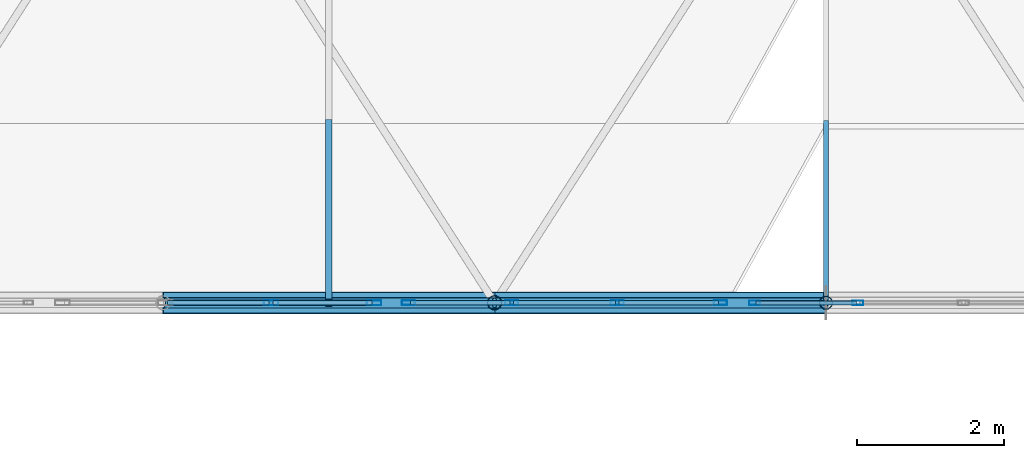
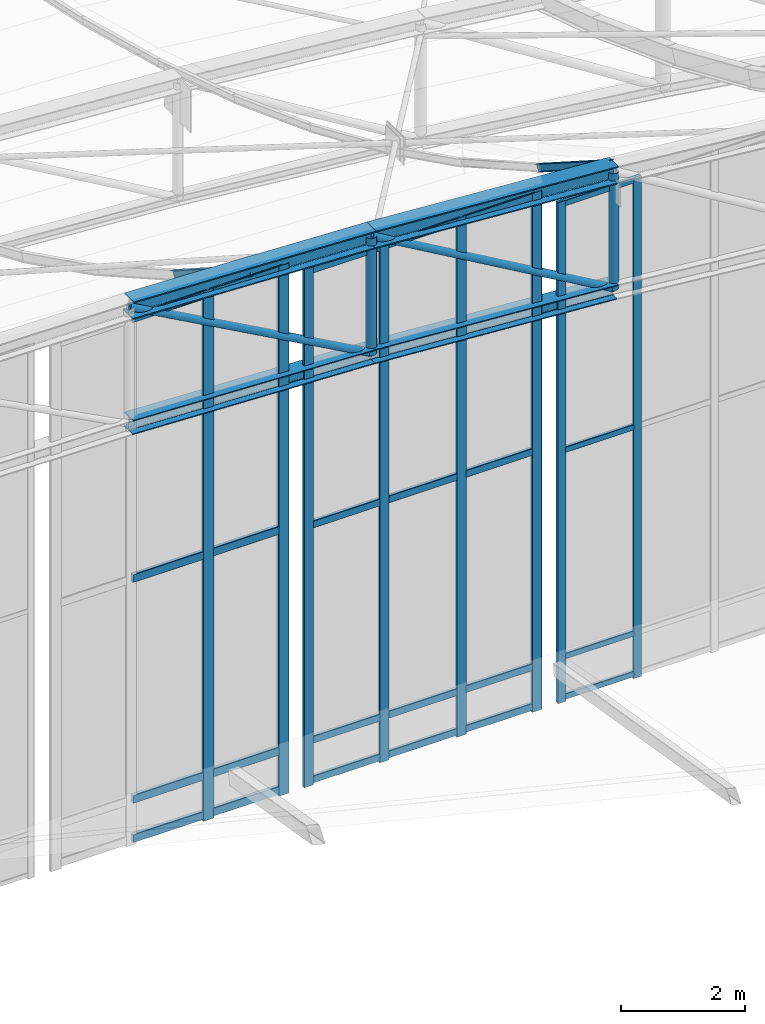
# One storey, part 148 of 262: 42 members, 3 elements without a shape of their own.
"""IFC4 building model written with IfcOpenShell, lengths in metres."""

from ifc_helpers import new_model, si_unit, derived_unit, direction, frame, origin, origin_2d, place, context, subcontext, project, spatial, hollow_rectangle, hollow_circle, i_section, extrude, material, layer, layer_set, material_profile, profile_set, type_object, element, aggregate, save


model = new_model("IFC4")

# Units and contexts
model_context = context("Model", 3, precision=1e-05, world=origin(), true_north=direction((0.0, 1.0)))
body_context = subcontext(model_context, "Body", "Model", "MODEL_VIEW")
ifc_project = project(units=[si_unit("LENGTHUNIT", "METRE"), si_unit("AREAUNIT", "SQUARE_METRE"), si_unit("VOLUMEUNIT", "CUBIC_METRE"), si_unit("PLANEANGLEUNIT", "RADIAN"), si_unit("MASSUNIT", "GRAM", prefix="KILO"), derived_unit("THERMALTRANSMITTANCEUNIT", [(si_unit("POWERUNIT", "WATT"), 1), (si_unit("LENGTHUNIT", "METRE"), -2), (si_unit("THERMODYNAMICTEMPERATUREUNIT", "KELVIN"), -1)])], contexts=[model_context])

# Site, building, storey
site_placement = place(None, origin())
site = spatial("IfcSite", under=ifc_project, at=site_placement, CompositionType="ELEMENT")
building_placement = place(site_placement, origin())
building = spatial("IfcBuilding", under=site, at=building_placement, Name="Almenara Railside Exhibition Hall", CompositionType="ELEMENT")
storey_placement = place(building_placement, frame((0.0, 0.0, 21.699951171875)))
storey = spatial("IfcBuildingStorey", under=building, at=storey_placement, Name="RF", CompositionType="ELEMENT", Elevation=21.699951171875)

# Members
ifc_material_1 = material(Name="Structural steel S355JR", Category="steel")
ifc_material_profile_1 = material_profile(ifc_material_1, i_section(OverallWidth=0.280029296875, OverallDepth=0.280029296875, WebThickness=0.010498046875, FlangeThickness=0.01806640625, FilletRadius=0.02392578125, at=origin_2d()), Name="HEB 280")
ifc_profile_set_1 = profile_set([ifc_material_profile_1], Name="Structural steel S355JR")
member_type_1 = type_object("IfcMemberType", Name="Arched Gable Bottom Chord HEB 280 S355JR", PredefinedType="CHORD", material=ifc_profile_set_1)
member_1_placement = place(storey_placement, frame((169.5, 34.0, 1.538818359375), z_axis=(0.999173184279, 0.0, -0.040656460949), x_axis=(0.0, 1.0, 0.0)))
element("IfcMember", 1, at=member_1_placement, inside=storey, type_object=member_type_1, Name="MEM-BC-V2-00-07", PredefinedType="CHORD", context=body_context, shape_type="SweptSolid", body=[
    extrude(i_section(OverallWidth=0.280029296875, OverallDepth=0.280029296875, WebThickness=0.010498046875, FlangeThickness=0.01806640625, FilletRadius=0.02392578125, at=origin_2d()), origin(), (0.0, 0.0, 1.0), 4.503662109375),
])
member_2_placement = place(storey_placement, frame((174.0, 34.0, 1.355712890625), z_axis=(0.997701025897, 0.0, -0.067769188608), x_axis=(0.0, 1.0, 0.0)))
element("IfcMember", 2, at=member_2_placement, inside=storey, type_object=member_type_1, Name="MEM-BC-V2-00-08", PredefinedType="CHORD", context=body_context, shape_type="SweptSolid", body=[
    extrude(i_section(OverallWidth=0.280029296875, OverallDepth=0.280029296875, WebThickness=0.010498046875, FlangeThickness=0.01806640625, FilletRadius=0.02392578125, at=origin_2d()), origin(), (0.0, 0.0, 1.0), 4.51025390625),
])
ifc_material_profile_2 = material_profile(ifc_material_1, i_section(OverallWidth=0.300048828125, OverallDepth=0.340087890625, WebThickness=0.011962890625, FlangeThickness=0.021484375, FilletRadius=0.027099609375, at=origin_2d()), Name="HEB 340")
ifc_profile_set_2 = profile_set([ifc_material_profile_2], Name="Structural steel S355JR")
member_type_2 = type_object("IfcMemberType", Name="Arched Gable Top Chord HEB 340 S355JR", PredefinedType="CHORD", material=ifc_profile_set_2)
member_3_placement = place(storey_placement, frame((169.5, 34.0, 3.8388671875), z_axis=(0.99917098071, 0.0, -0.04071057978), x_axis=(0.0, 1.0, 0.0)))
element("IfcMember", 3, at=member_3_placement, inside=storey, type_object=member_type_2, Name="MEM-TC-V2-00-07", PredefinedType="CHORD", context=body_context, shape_type="SweptSolid", body=[
    extrude(i_section(OverallWidth=0.300048828125, OverallDepth=0.340087890625, WebThickness=0.011962890625, FlangeThickness=0.021484375, FilletRadius=0.027099609375, at=origin_2d()), origin(), (0.0, 0.0, 1.0), 4.503662109375),
])
member_4_placement = place(storey_placement, frame((174.0, 34.0, 3.655517578125), z_axis=(0.997704684283, 0.0, -0.067715308162), x_axis=(0.0, 1.0, 0.0)))
element("IfcMember", 4, at=member_4_placement, inside=storey, type_object=member_type_2, Name="MEM-TC-V2-00-08", PredefinedType="CHORD", context=body_context, shape_type="SweptSolid", body=[
    extrude(i_section(OverallWidth=0.300048828125, OverallDepth=0.340087890625, WebThickness=0.011962890625, FlangeThickness=0.021484375, FilletRadius=0.027099609375, at=origin_2d()), origin(), (0.0, 0.0, 1.0), 4.51025390625),
])
ifc_material_profile_3 = material_profile(ifc_material_1, i_section(OverallWidth=0.072998046875, OverallDepth=0.139892578125, WebThickness=0.004638671875, FlangeThickness=0.0068359375, FilletRadius=0.007080078125, at=origin_2d()), Name="IPE 140")
ifc_profile_set_3 = profile_set([ifc_material_profile_3], Name="Structural steel S355JR")
member_type_3 = type_object("IfcMemberType", Name="Canopy Edge Purlin IPE 140 S355JR", PredefinedType="PURLIN", material=ifc_profile_set_3)
member_5_placement = place(storey_placement, frame((178.5, 34.0, 3.487548828125), z_axis=(0.0, 0.842226955435, -0.539123135785), x_axis=(-1.0, 0.0, 0.0)))
element("IfcMember", 5, at=member_5_placement, inside=storey, type_object=member_type_3, Name="MEM-PR-V2-PR-IPE140-06-00", PredefinedType="PURLIN", context=body_context, shape_type="SweptSolid", body=[
    extrude(i_section(OverallWidth=0.072998046875, OverallDepth=0.139892578125, WebThickness=0.004638671875, FlangeThickness=0.0068359375, FilletRadius=0.007080078125, at=origin_2d()), origin(), (0.0, 0.0, 1.0), 2.893310546875),
])

# Curtain wall, members
ifc_material_2 = material(Name="Bronze-anodised aluminium and low-E double glazing", Category="aluminium")
ifc_layer = layer(ifc_material_2, 0.179931640625, Name="Bronze-anodised aluminium and low-E double glazing")
ifc_layer_set = layer_set([ifc_layer], Name="Bronze-anodised aluminium and low-E double glazing")
curtain_wall_type = type_object("IfcCurtainWallType", Name="Scroll Gable Tall Curtain Wall 3800x5400", PredefinedType="NOTDEFINED", material=ifc_layer_set)
curtain_wall_1_placement = place(storey_placement, origin())
curtain_wall_1 = element("IfcCurtainWall", 6, at=curtain_wall_1_placement, inside=storey, type_object=curtain_wall_type, Name="Curtain wall CW-G1-222", PredefinedType="NOTDEFINED")
ifc_material_3 = material(Name="Bronze-anodised aluminium", Category="aluminium")
ifc_material_profile_4 = material_profile(ifc_material_3, hollow_rectangle(XDim=0.06005859375, YDim=0.14990234375, WallThickness=0.00341796875, InnerFilletRadius=0.00341796875, OuterFilletRadius=0.007080078125, at=origin_2d()), Name="ALU-MUL 60x150x3.5")
ifc_profile_set_4 = profile_set([ifc_material_profile_4], Name="Bronze-anodised aluminium")
member_type_4 = type_object("IfcMemberType", Name="Curtain Wall Mullion 60x150x3.5", PredefinedType="MULLION", material=ifc_profile_set_4)
member_6_placement = place(storey_placement, frame((177.530029296875, 34.0, -6.73486328125), z_axis=(0.0, 0.0, 1.0), x_axis=(0.0, 1.0, 0.0)))
member_6 = element("IfcMember", 7, at=member_6_placement, type_object=member_type_4, Name="CW-G1-222 mullion 1", PredefinedType="MULLION", context=body_context, shape_type="SweptSolid", body=[
    extrude(hollow_rectangle(XDim=0.06005859375, YDim=0.14990234375, WallThickness=0.00341796875, InnerFilletRadius=0.00341796875, OuterFilletRadius=0.007080078125, at=origin_2d()), origin(), (0.0, 0.0, 1.0), 9.8349609375),
])
member_7_placement = place(storey_placement, frame((178.933349609375, 34.0, -6.73486328125), z_axis=(0.0, 0.0, 1.0), x_axis=(0.0, 1.0, 0.0)))
member_7 = element("IfcMember", 8, at=member_7_placement, type_object=member_type_4, Name="CW-G1-222 mullion 2", PredefinedType="MULLION", context=body_context, shape_type="SweptSolid", body=[
    extrude(hollow_rectangle(XDim=0.06005859375, YDim=0.14990234375, WallThickness=0.00341796875, InnerFilletRadius=0.00341796875, OuterFilletRadius=0.007080078125, at=origin_2d()), origin(), (0.0, 0.0, 1.0), 9.8349609375),
])

curtain_wall_2_placement = place(storey_placement, origin())
curtain_wall_2 = element("IfcCurtainWall", 9, at=curtain_wall_2_placement, inside=storey, type_object=curtain_wall_type, Name="Curtain wall CW-G1-221", PredefinedType="NOTDEFINED")
ifc_material_profile_5 = material_profile(ifc_material_3, hollow_rectangle(XDim=0.06494140625, YDim=0.179931640625, WallThickness=0.00390625, InnerFilletRadius=0.00390625, OuterFilletRadius=0.008056640625, at=origin_2d()), Name="ALU-MUL 65x180x4")
ifc_profile_set_5 = profile_set([ifc_material_profile_5], Name="Bronze-anodised aluminium")
member_type_5 = type_object("IfcMemberType", Name="Curtain Wall Mullion 65x180x4", PredefinedType="MULLION", material=ifc_profile_set_5)
member_8_placement = place(storey_placement, frame((172.83251953125, 34.0, -6.73486328125), z_axis=(0.0, 0.0, 1.0), x_axis=(0.0, 1.0, 0.0)))
member_8 = element("IfcMember", 10, at=member_8_placement, type_object=member_type_5, Name="CW-G1-221 mullion 1", PredefinedType="MULLION", context=body_context, shape_type="SweptSolid", body=[
    extrude(hollow_rectangle(XDim=0.06494140625, YDim=0.179931640625, WallThickness=0.00390625, InnerFilletRadius=0.00390625, OuterFilletRadius=0.008056640625, at=origin_2d()), origin(), (0.0, 0.0, 1.0), 10.184814453125),
])
member_9_placement = place(storey_placement, frame((174.2333984375, 34.0, -6.73486328125), z_axis=(0.0, 0.0, 1.0), x_axis=(0.0, 1.0, 0.0)))
member_9 = element("IfcMember", 11, at=member_9_placement, type_object=member_type_5, Name="CW-G1-221 mullion 2", PredefinedType="MULLION", context=body_context, shape_type="SweptSolid", body=[
    extrude(hollow_rectangle(XDim=0.06494140625, YDim=0.179931640625, WallThickness=0.00390625, InnerFilletRadius=0.00390625, OuterFilletRadius=0.008056640625, at=origin_2d()), origin(), (0.0, 0.0, 1.0), 10.184814453125),
])
member_10_placement = place(storey_placement, frame((175.666748046875, 34.0, -6.73486328125), z_axis=(0.0, 0.0, 1.0), x_axis=(0.0, 1.0, 0.0)))
member_10 = element("IfcMember", 12, at=member_10_placement, type_object=member_type_5, Name="CW-G1-221 mullion 3", PredefinedType="MULLION", context=body_context, shape_type="SweptSolid", body=[
    extrude(hollow_rectangle(XDim=0.06494140625, YDim=0.179931640625, WallThickness=0.00390625, InnerFilletRadius=0.00390625, OuterFilletRadius=0.008056640625, at=origin_2d()), origin(), (0.0, 0.0, 1.0), 10.184814453125),
])
member_11_placement = place(storey_placement, frame((177.0673828125, 34.0, -6.73486328125), z_axis=(0.0, 0.0, 1.0), x_axis=(0.0, 1.0, 0.0)))
member_11 = element("IfcMember", 13, at=member_11_placement, type_object=member_type_5, Name="CW-G1-221 mullion 4", PredefinedType="MULLION", context=body_context, shape_type="SweptSolid", body=[
    extrude(hollow_rectangle(XDim=0.06494140625, YDim=0.179931640625, WallThickness=0.00390625, InnerFilletRadius=0.00390625, OuterFilletRadius=0.008056640625, at=origin_2d()), origin(), (0.0, 0.0, 1.0), 10.184814453125),
])

curtain_wall_3_placement = place(storey_placement, origin())
curtain_wall_3 = element("IfcCurtainWall", 14, at=curtain_wall_3_placement, inside=storey, type_object=curtain_wall_type, Name="Curtain wall CW-G1-220", PredefinedType="NOTDEFINED")
ifc_material_profile_6 = material_profile(ifc_material_3, hollow_rectangle(XDim=0.070068359375, YDim=0.199951171875, WallThickness=0.00439453125, InnerFilletRadius=0.00439453125, OuterFilletRadius=0.009033203125, at=origin_2d()), Name="ALU-MUL 70x200x4.5")
ifc_profile_set_6 = profile_set([ifc_material_profile_6], Name="Bronze-anodised aluminium")
member_type_6 = type_object("IfcMemberType", Name="Curtain Wall Mullion 70x200x4.5", PredefinedType="MULLION", material=ifc_profile_set_6)
member_12_placement = place(storey_placement, frame((170.966552734375, 34.0, -6.73486328125), z_axis=(0.0, 0.0, 1.0), x_axis=(0.0, 1.0, 0.0)))
member_12 = element("IfcMember", 15, at=member_12_placement, type_object=member_type_6, Name="CW-G1-220 mullion 3", PredefinedType="MULLION", context=body_context, shape_type="SweptSolid", body=[
    extrude(hollow_rectangle(XDim=0.070068359375, YDim=0.199951171875, WallThickness=0.00439453125, InnerFilletRadius=0.00439453125, OuterFilletRadius=0.009033203125, at=origin_2d()), origin(), (0.0, 0.0, 1.0), 10.405029296875),
])
member_13_placement = place(storey_placement, frame((172.364990234375, 34.0, -6.73486328125), z_axis=(0.0, 0.0, 1.0), x_axis=(0.0, 1.0, 0.0)))
member_13 = element("IfcMember", 16, at=member_13_placement, type_object=member_type_6, Name="CW-G1-220 mullion 4", PredefinedType="MULLION", context=body_context, shape_type="SweptSolid", body=[
    extrude(hollow_rectangle(XDim=0.070068359375, YDim=0.199951171875, WallThickness=0.00439453125, InnerFilletRadius=0.00439453125, OuterFilletRadius=0.009033203125, at=origin_2d()), origin(), (0.0, 0.0, 1.0), 10.405029296875),
])

# Member
ifc_material_profile_7 = material_profile(ifc_material_3, hollow_rectangle(XDim=0.06005859375, YDim=0.110107421875, WallThickness=0.0029296875, InnerFilletRadius=0.0029296875, OuterFilletRadius=0.006103515625, at=origin_2d()), Name="ALU-TRN 60x110x3")
ifc_profile_set_7 = profile_set([ifc_material_profile_7], Name="Bronze-anodised aluminium")
member_type_7 = type_object("IfcMemberType", Name="Curtain Wall Transom 60x110x3", PredefinedType="USERDEFINED", material=ifc_profile_set_7)
member_14_placement = place(storey_placement, frame((177.552001953125, 34.0, -6.64501953125), z_axis=(1.0, 0.0, 0.0), x_axis=(0.0, 1.0, 0.0)))
member_14 = element("IfcMember", 17, at=member_14_placement, type_object=member_type_7, Name="CW-G1-222 transom 1.1", ObjectType="TRANSOM", PredefinedType="USERDEFINED", context=body_context, shape_type="SweptSolid", body=[
    extrude(hollow_rectangle(XDim=0.06005859375, YDim=0.110107421875, WallThickness=0.0029296875, InnerFilletRadius=0.0029296875, OuterFilletRadius=0.006103515625, at=origin_2d()), origin(), (0.0, 0.0, 1.0), 1.359375),
])

member_15_placement = place(storey_placement, frame((177.552001953125, 34.0, -5.849853515625), z_axis=(1.0, 0.0, 0.0), x_axis=(0.0, 1.0, 0.0)))
member_15 = element("IfcMember", 18, at=member_15_placement, type_object=member_type_7, Name="CW-G1-222 transom 1.2", ObjectType="TRANSOM", PredefinedType="USERDEFINED", context=body_context, shape_type="SweptSolid", body=[
    extrude(hollow_rectangle(XDim=0.06005859375, YDim=0.110107421875, WallThickness=0.0029296875, InnerFilletRadius=0.0029296875, OuterFilletRadius=0.006103515625, at=origin_2d()), origin(), (0.0, 0.0, 1.0), 1.359375),
])

member_16_placement = place(storey_placement, frame((177.552001953125, 34.0, -1.800048828125), z_axis=(1.0, 0.0, 0.0), x_axis=(0.0, 1.0, 0.0)))
member_16 = element("IfcMember", 19, at=member_16_placement, type_object=member_type_7, Name="CW-G1-222 transom 1.3", ObjectType="TRANSOM", PredefinedType="USERDEFINED", context=body_context, shape_type="SweptSolid", body=[
    extrude(hollow_rectangle(XDim=0.06005859375, YDim=0.110107421875, WallThickness=0.0029296875, InnerFilletRadius=0.0029296875, OuterFilletRadius=0.006103515625, at=origin_2d()), origin(), (0.0, 0.0, 1.0), 1.359375),
])

member_17_placement = place(storey_placement, frame((177.552001953125, 34.0, 3.045166015625), z_axis=(1.0, 0.0, 0.0), x_axis=(0.0, 1.0, 0.0)))
member_17 = element("IfcMember", 20, at=member_17_placement, type_object=member_type_7, Name="CW-G1-222 transom 1.4", ObjectType="TRANSOM", PredefinedType="USERDEFINED", context=body_context, shape_type="SweptSolid", body=[
    extrude(hollow_rectangle(XDim=0.06005859375, YDim=0.110107421875, WallThickness=0.0029296875, InnerFilletRadius=0.0029296875, OuterFilletRadius=0.006103515625, at=origin_2d()), origin(), (0.0, 0.0, 1.0), 1.359375),
])

aggregate(curtain_wall_1, [member_6, member_7, member_14, member_15, member_16, member_17])

ifc_material_profile_8 = material_profile(ifc_material_3, hollow_rectangle(XDim=0.06494140625, YDim=0.139892578125, WallThickness=0.00341796875, InnerFilletRadius=0.00341796875, OuterFilletRadius=0.007080078125, at=origin_2d()), Name="ALU-TRN 65x140x3.5")
ifc_profile_set_8 = profile_set([ifc_material_profile_8], Name="Bronze-anodised aluminium")
member_type_8 = type_object("IfcMemberType", Name="Curtain Wall Transom 65x140x3.5", PredefinedType="USERDEFINED", material=ifc_profile_set_8)
member_18_placement = place(storey_placement, frame((172.85693359375, 34.0, -6.6298828125), z_axis=(1.0, 0.0, 0.0), x_axis=(0.0, 1.0, 0.0)))
member_18 = element("IfcMember", 21, at=member_18_placement, type_object=member_type_8, Name="CW-G1-221 transom 1.1", ObjectType="TRANSOM", PredefinedType="USERDEFINED", context=body_context, shape_type="SweptSolid", body=[
    extrude(hollow_rectangle(XDim=0.06494140625, YDim=0.139892578125, WallThickness=0.00341796875, InnerFilletRadius=0.00341796875, OuterFilletRadius=0.007080078125, at=origin_2d()), origin(), (0.0, 0.0, 1.0), 1.351806640625),
])

member_19_placement = place(storey_placement, frame((172.85693359375, 34.0, -5.849853515625), z_axis=(1.0, 0.0, 0.0), x_axis=(0.0, 1.0, 0.0)))
member_19 = element("IfcMember", 22, at=member_19_placement, type_object=member_type_8, Name="CW-G1-221 transom 1.2", ObjectType="TRANSOM", PredefinedType="USERDEFINED", context=body_context, shape_type="SweptSolid", body=[
    extrude(hollow_rectangle(XDim=0.06494140625, YDim=0.139892578125, WallThickness=0.00341796875, InnerFilletRadius=0.00341796875, OuterFilletRadius=0.007080078125, at=origin_2d()), origin(), (0.0, 0.0, 1.0), 1.351806640625),
])

member_20_placement = place(storey_placement, frame((172.85693359375, 34.0, -1.625), z_axis=(1.0, 0.0, 0.0), x_axis=(0.0, 1.0, 0.0)))
member_20 = element("IfcMember", 23, at=member_20_placement, type_object=member_type_8, Name="CW-G1-221 transom 1.3", ObjectType="TRANSOM", PredefinedType="USERDEFINED", context=body_context, shape_type="SweptSolid", body=[
    extrude(hollow_rectangle(XDim=0.06494140625, YDim=0.139892578125, WallThickness=0.00341796875, InnerFilletRadius=0.00341796875, OuterFilletRadius=0.007080078125, at=origin_2d()), origin(), (0.0, 0.0, 1.0), 1.351806640625),
])

member_21_placement = place(storey_placement, frame((172.85693359375, 34.0, 3.380126953125), z_axis=(1.0, 0.0, 0.0), x_axis=(0.0, 1.0, 0.0)))
member_21 = element("IfcMember", 24, at=member_21_placement, type_object=member_type_8, Name="CW-G1-221 transom 1.4", ObjectType="TRANSOM", PredefinedType="USERDEFINED", context=body_context, shape_type="SweptSolid", body=[
    extrude(hollow_rectangle(XDim=0.06494140625, YDim=0.139892578125, WallThickness=0.00341796875, InnerFilletRadius=0.00341796875, OuterFilletRadius=0.007080078125, at=origin_2d()), origin(), (0.0, 0.0, 1.0), 1.351806640625),
])

member_22_placement = place(storey_placement, frame((174.2578125, 34.0, -6.6298828125), z_axis=(1.0, 0.0, 0.0), x_axis=(0.0, 1.0, 0.0)))
member_22 = element("IfcMember", 25, at=member_22_placement, type_object=member_type_8, Name="CW-G1-221 transom 2.1", ObjectType="TRANSOM", PredefinedType="USERDEFINED", context=body_context, shape_type="SweptSolid", body=[
    extrude(hollow_rectangle(XDim=0.06494140625, YDim=0.139892578125, WallThickness=0.00341796875, InnerFilletRadius=0.00341796875, OuterFilletRadius=0.007080078125, at=origin_2d()), origin(), (0.0, 0.0, 1.0), 1.38427734375),
])

member_23_placement = place(storey_placement, frame((174.2578125, 34.0, -5.849853515625), z_axis=(1.0, 0.0, 0.0), x_axis=(0.0, 1.0, 0.0)))
member_23 = element("IfcMember", 26, at=member_23_placement, type_object=member_type_8, Name="CW-G1-221 transom 2.2", ObjectType="TRANSOM", PredefinedType="USERDEFINED", context=body_context, shape_type="SweptSolid", body=[
    extrude(hollow_rectangle(XDim=0.06494140625, YDim=0.139892578125, WallThickness=0.00341796875, InnerFilletRadius=0.00341796875, OuterFilletRadius=0.007080078125, at=origin_2d()), origin(), (0.0, 0.0, 1.0), 1.38427734375),
])

member_24_placement = place(storey_placement, frame((174.2578125, 34.0, -1.625), z_axis=(1.0, 0.0, 0.0), x_axis=(0.0, 1.0, 0.0)))
member_24 = element("IfcMember", 27, at=member_24_placement, type_object=member_type_8, Name="CW-G1-221 transom 2.3", ObjectType="TRANSOM", PredefinedType="USERDEFINED", context=body_context, shape_type="SweptSolid", body=[
    extrude(hollow_rectangle(XDim=0.06494140625, YDim=0.139892578125, WallThickness=0.00341796875, InnerFilletRadius=0.00341796875, OuterFilletRadius=0.007080078125, at=origin_2d()), origin(), (0.0, 0.0, 1.0), 1.38427734375),
])

member_25_placement = place(storey_placement, frame((174.2578125, 34.0, 3.380126953125), z_axis=(1.0, 0.0, 0.0), x_axis=(0.0, 1.0, 0.0)))
member_25 = element("IfcMember", 28, at=member_25_placement, type_object=member_type_8, Name="CW-G1-221 transom 2.4", ObjectType="TRANSOM", PredefinedType="USERDEFINED", context=body_context, shape_type="SweptSolid", body=[
    extrude(hollow_rectangle(XDim=0.06494140625, YDim=0.139892578125, WallThickness=0.00341796875, InnerFilletRadius=0.00341796875, OuterFilletRadius=0.007080078125, at=origin_2d()), origin(), (0.0, 0.0, 1.0), 1.38427734375),
])

member_26_placement = place(storey_placement, frame((175.691162109375, 34.0, -6.6298828125), z_axis=(1.0, 0.0, 0.0), x_axis=(0.0, 1.0, 0.0)))
member_26 = element("IfcMember", 29, at=member_26_placement, type_object=member_type_8, Name="CW-G1-221 transom 3.1", ObjectType="TRANSOM", PredefinedType="USERDEFINED", context=body_context, shape_type="SweptSolid", body=[
    extrude(hollow_rectangle(XDim=0.06494140625, YDim=0.139892578125, WallThickness=0.00341796875, InnerFilletRadius=0.00341796875, OuterFilletRadius=0.007080078125, at=origin_2d()), origin(), (0.0, 0.0, 1.0), 1.351806640625),
])

member_27_placement = place(storey_placement, frame((175.691162109375, 34.0, -5.849853515625), z_axis=(1.0, 0.0, 0.0), x_axis=(0.0, 1.0, 0.0)))
member_27 = element("IfcMember", 30, at=member_27_placement, type_object=member_type_8, Name="CW-G1-221 transom 3.2", ObjectType="TRANSOM", PredefinedType="USERDEFINED", context=body_context, shape_type="SweptSolid", body=[
    extrude(hollow_rectangle(XDim=0.06494140625, YDim=0.139892578125, WallThickness=0.00341796875, InnerFilletRadius=0.00341796875, OuterFilletRadius=0.007080078125, at=origin_2d()), origin(), (0.0, 0.0, 1.0), 1.351806640625),
])

member_28_placement = place(storey_placement, frame((175.691162109375, 34.0, -1.625), z_axis=(1.0, 0.0, 0.0), x_axis=(0.0, 1.0, 0.0)))
member_28 = element("IfcMember", 31, at=member_28_placement, type_object=member_type_8, Name="CW-G1-221 transom 3.3", ObjectType="TRANSOM", PredefinedType="USERDEFINED", context=body_context, shape_type="SweptSolid", body=[
    extrude(hollow_rectangle(XDim=0.06494140625, YDim=0.139892578125, WallThickness=0.00341796875, InnerFilletRadius=0.00341796875, OuterFilletRadius=0.007080078125, at=origin_2d()), origin(), (0.0, 0.0, 1.0), 1.351806640625),
])

member_29_placement = place(storey_placement, frame((175.691162109375, 34.0, 3.380126953125), z_axis=(1.0, 0.0, 0.0), x_axis=(0.0, 1.0, 0.0)))
member_29 = element("IfcMember", 32, at=member_29_placement, type_object=member_type_8, Name="CW-G1-221 transom 3.4", ObjectType="TRANSOM", PredefinedType="USERDEFINED", context=body_context, shape_type="SweptSolid", body=[
    extrude(hollow_rectangle(XDim=0.06494140625, YDim=0.139892578125, WallThickness=0.00341796875, InnerFilletRadius=0.00341796875, OuterFilletRadius=0.007080078125, at=origin_2d()), origin(), (0.0, 0.0, 1.0), 1.351806640625),
])

aggregate(curtain_wall_2, [member_8, member_9, member_10, member_11, member_18, member_19, member_20, member_21, member_22, member_23, member_24, member_25, member_26, member_27, member_28, member_29])

ifc_material_profile_9 = material_profile(ifc_material_3, hollow_rectangle(XDim=0.070068359375, YDim=0.159912109375, WallThickness=0.00390625, InnerFilletRadius=0.00390625, OuterFilletRadius=0.008056640625, at=origin_2d()), Name="ALU-TRN 70x160x4")
ifc_profile_set_9 = profile_set([ifc_material_profile_9], Name="Bronze-anodised aluminium")
member_type_9 = type_object("IfcMemberType", Name="Curtain Wall Transom 70x160x4", PredefinedType="USERDEFINED", material=ifc_profile_set_9)
member_30_placement = place(storey_placement, frame((169.560302734375, 34.0, -6.619873046875), z_axis=(1.0, 0.0, 0.0), x_axis=(0.0, 1.0, 0.0)))
member_30 = element("IfcMember", 33, at=member_30_placement, type_object=member_type_9, Name="CW-G1-220 transom 2.1", ObjectType="TRANSOM", PredefinedType="USERDEFINED", context=body_context, shape_type="SweptSolid", body=[
    extrude(hollow_rectangle(XDim=0.070068359375, YDim=0.159912109375, WallThickness=0.00390625, InnerFilletRadius=0.00390625, OuterFilletRadius=0.008056640625, at=origin_2d()), origin(), (0.0, 0.0, 1.0), 1.37939453125),
])

member_31_placement = place(storey_placement, frame((169.560302734375, 34.0, -5.849853515625), z_axis=(1.0, 0.0, 0.0), x_axis=(0.0, 1.0, 0.0)))
member_31 = element("IfcMember", 34, at=member_31_placement, type_object=member_type_9, Name="CW-G1-220 transom 2.2", ObjectType="TRANSOM", PredefinedType="USERDEFINED", context=body_context, shape_type="SweptSolid", body=[
    extrude(hollow_rectangle(XDim=0.070068359375, YDim=0.159912109375, WallThickness=0.00390625, InnerFilletRadius=0.00390625, OuterFilletRadius=0.008056640625, at=origin_2d()), origin(), (0.0, 0.0, 1.0), 1.37939453125),
])

member_32_placement = place(storey_placement, frame((169.560302734375, 34.0, -1.514892578125), z_axis=(1.0, 0.0, 0.0), x_axis=(0.0, 1.0, 0.0)))
member_32 = element("IfcMember", 35, at=member_32_placement, type_object=member_type_9, Name="CW-G1-220 transom 2.3", ObjectType="TRANSOM", PredefinedType="USERDEFINED", context=body_context, shape_type="SweptSolid", body=[
    extrude(hollow_rectangle(XDim=0.070068359375, YDim=0.159912109375, WallThickness=0.00390625, InnerFilletRadius=0.00390625, OuterFilletRadius=0.008056640625, at=origin_2d()), origin(), (0.0, 0.0, 1.0), 1.37939453125),
])

member_33_placement = place(storey_placement, frame((169.560302734375, 34.0, 3.590087890625), z_axis=(1.0, 0.0, 0.0), x_axis=(0.0, 1.0, 0.0)))
member_33 = element("IfcMember", 36, at=member_33_placement, type_object=member_type_9, Name="CW-G1-220 transom 2.4", ObjectType="TRANSOM", PredefinedType="USERDEFINED", context=body_context, shape_type="SweptSolid", body=[
    extrude(hollow_rectangle(XDim=0.070068359375, YDim=0.159912109375, WallThickness=0.00390625, InnerFilletRadius=0.00390625, OuterFilletRadius=0.008056640625, at=origin_2d()), origin(), (0.0, 0.0, 1.0), 1.37939453125),
])

member_34_placement = place(storey_placement, frame((170.99365234375, 34.0, -6.619873046875), z_axis=(1.0, 0.0, 0.0), x_axis=(0.0, 1.0, 0.0)))
member_34 = element("IfcMember", 37, at=member_34_placement, type_object=member_type_9, Name="CW-G1-220 transom 3.1", ObjectType="TRANSOM", PredefinedType="USERDEFINED", context=body_context, shape_type="SweptSolid", body=[
    extrude(hollow_rectangle(XDim=0.070068359375, YDim=0.159912109375, WallThickness=0.00390625, InnerFilletRadius=0.00390625, OuterFilletRadius=0.008056640625, at=origin_2d()), origin(), (0.0, 0.0, 1.0), 1.34423828125),
])

member_35_placement = place(storey_placement, frame((170.99365234375, 34.0, -5.849853515625), z_axis=(1.0, 0.0, 0.0), x_axis=(0.0, 1.0, 0.0)))
member_35 = element("IfcMember", 38, at=member_35_placement, type_object=member_type_9, Name="CW-G1-220 transom 3.2", ObjectType="TRANSOM", PredefinedType="USERDEFINED", context=body_context, shape_type="SweptSolid", body=[
    extrude(hollow_rectangle(XDim=0.070068359375, YDim=0.159912109375, WallThickness=0.00390625, InnerFilletRadius=0.00390625, OuterFilletRadius=0.008056640625, at=origin_2d()), origin(), (0.0, 0.0, 1.0), 1.34423828125),
])

member_36_placement = place(storey_placement, frame((170.99365234375, 34.0, -1.514892578125), z_axis=(1.0, 0.0, 0.0), x_axis=(0.0, 1.0, 0.0)))
member_36 = element("IfcMember", 39, at=member_36_placement, type_object=member_type_9, Name="CW-G1-220 transom 3.3", ObjectType="TRANSOM", PredefinedType="USERDEFINED", context=body_context, shape_type="SweptSolid", body=[
    extrude(hollow_rectangle(XDim=0.070068359375, YDim=0.159912109375, WallThickness=0.00390625, InnerFilletRadius=0.00390625, OuterFilletRadius=0.008056640625, at=origin_2d()), origin(), (0.0, 0.0, 1.0), 1.34423828125),
])

member_37_placement = place(storey_placement, frame((170.99365234375, 34.0, 3.590087890625), z_axis=(1.0, 0.0, 0.0), x_axis=(0.0, 1.0, 0.0)))
member_37 = element("IfcMember", 40, at=member_37_placement, type_object=member_type_9, Name="CW-G1-220 transom 3.4", ObjectType="TRANSOM", PredefinedType="USERDEFINED", context=body_context, shape_type="SweptSolid", body=[
    extrude(hollow_rectangle(XDim=0.070068359375, YDim=0.159912109375, WallThickness=0.00390625, InnerFilletRadius=0.00390625, OuterFilletRadius=0.008056640625, at=origin_2d()), origin(), (0.0, 0.0, 1.0), 1.34423828125),
])

aggregate(curtain_wall_3, [member_12, member_13, member_30, member_31, member_32, member_33, member_34, member_35, member_36, member_37])

# Members
ifc_material_profile_10 = material_profile(ifc_material_1, i_section(OverallWidth=0.091064453125, OverallDepth=0.179931640625, WebThickness=0.00537109375, FlangeThickness=0.008056640625, FilletRadius=0.009033203125, at=origin_2d()), Name="IPE 180")
ifc_profile_set_10 = profile_set([ifc_material_profile_10], Name="Structural steel S355JR")
member_type_10 = type_object("IfcMemberType", Name="Plenary Roof Purlin IPE 180 S355JR", PredefinedType="PURLIN", material=ifc_profile_set_10)
member_38_placement = place(storey_placement, frame((171.75, 34.0, 3.739990234375), z_axis=(0.0, 0.842265270347, -0.53906327492), x_axis=(-1.0, 0.0, 0.0)))
element("IfcMember", 41, at=member_38_placement, inside=storey, type_object=member_type_10, Name="MEM-PR-V2-PR-IPE180-05-00", PredefinedType="PURLIN", context=body_context, shape_type="SweptSolid", body=[
    extrude(i_section(OverallWidth=0.091064453125, OverallDepth=0.179931640625, WebThickness=0.00537109375, FlangeThickness=0.008056640625, FilletRadius=0.009033203125, at=origin_2d()), origin(), (0.0, 0.0, 1.0), 2.89306640625),
])
ifc_material_profile_11 = material_profile(ifc_material_1, hollow_circle(Radius=0.06982421875, WallThickness=0.0048828125, at=origin_2d()), Name="CHS 139.7x5")
ifc_profile_set_11 = profile_set([ifc_material_profile_11], Name="Structural steel S355JR")
member_type_11 = type_object("IfcMemberType", Name="Truss Inner Diagonal CHS 139.7x5 S355JR", PredefinedType="BRACE", material=ifc_profile_set_11)
member_39_placement = place(storey_placement, frame((169.5, 34.0, 3.8388671875), z_axis=(0.875545119572, 0.0, -0.483136361283), x_axis=(0.0, 1.0, 0.0)))
element("IfcMember", 42, at=member_39_placement, inside=storey, type_object=member_type_11, Name="MEM-TD-V2-00-07", PredefinedType="BRACE", context=body_context, shape_type="SweptSolid", body=[
    extrude(hollow_circle(Radius=0.06982421875, WallThickness=0.0048828125, at=origin_2d()), origin(), (0.0, 0.0, 1.0), 5.1396484375),
])
member_40_placement = place(storey_placement, frame((174.0, 34.0, 3.655517578125), z_axis=(0.865409140876, 0.0, -0.501065882782), x_axis=(0.0, 1.0, 0.0)))
element("IfcMember", 43, at=member_40_placement, inside=storey, type_object=member_type_11, Name="MEM-TD-V2-00-08", PredefinedType="BRACE", context=body_context, shape_type="SweptSolid", body=[
    extrude(hollow_circle(Radius=0.06982421875, WallThickness=0.0048828125, at=origin_2d()), origin(), (0.0, 0.0, 1.0), 5.199951171875),
])
ifc_material_profile_12 = material_profile(ifc_material_1, hollow_circle(Radius=0.0888671875, WallThickness=0.006103515625, at=origin_2d()), Name="CHS 177.8x6")
ifc_profile_set_12 = profile_set([ifc_material_profile_12], Name="Structural steel S355JR")
member_type_12 = type_object("IfcMemberType", Name="Truss Quarter Vertical Strut CHS 177.8x6 S355JR", PredefinedType="BRACE", material=ifc_profile_set_12)
member_41_placement = place(storey_placement, frame((178.5, 34.0, 1.050048828125), z_axis=(0.0, 0.0, 1.0), x_axis=(1.0, 0.0, 0.0)))
element("IfcMember", 44, at=member_41_placement, inside=storey, type_object=member_type_12, Name="MEM-TV-V2-00-09", PredefinedType="BRACE", context=body_context, shape_type="SweptSolid", body=[
    extrude(hollow_circle(Radius=0.0888671875, WallThickness=0.006103515625, at=origin_2d()), origin(), (0.0, 0.0, 1.0), 2.300048828125),
])
ifc_material_profile_13 = material_profile(ifc_material_1, hollow_circle(Radius=0.096923828125, WallThickness=0.00634765625, at=origin_2d()), Name="CHS 193.7x6.3")
ifc_profile_set_13 = profile_set([ifc_material_profile_13], Name="Structural steel S355JR")
member_type_13 = type_object("IfcMemberType", Name="Truss Standard Vertical Strut CHS 193.7x6.3 S355JR", PredefinedType="BRACE", material=ifc_profile_set_13)
member_42_placement = place(storey_placement, frame((174.0, 34.0, 1.355712890625), z_axis=(0.0, 0.0, 1.0), x_axis=(1.0, 0.0, 0.0)))
element("IfcMember", 45, at=member_42_placement, inside=storey, type_object=member_type_13, Name="MEM-TV-V2-00-08", PredefinedType="BRACE", context=body_context, shape_type="SweptSolid", body=[
    extrude(hollow_circle(Radius=0.096923828125, WallThickness=0.00634765625, at=origin_2d()), origin(), (0.0, 0.0, 1.0), 2.2998046875),
])

save(model, "model.ifc")
